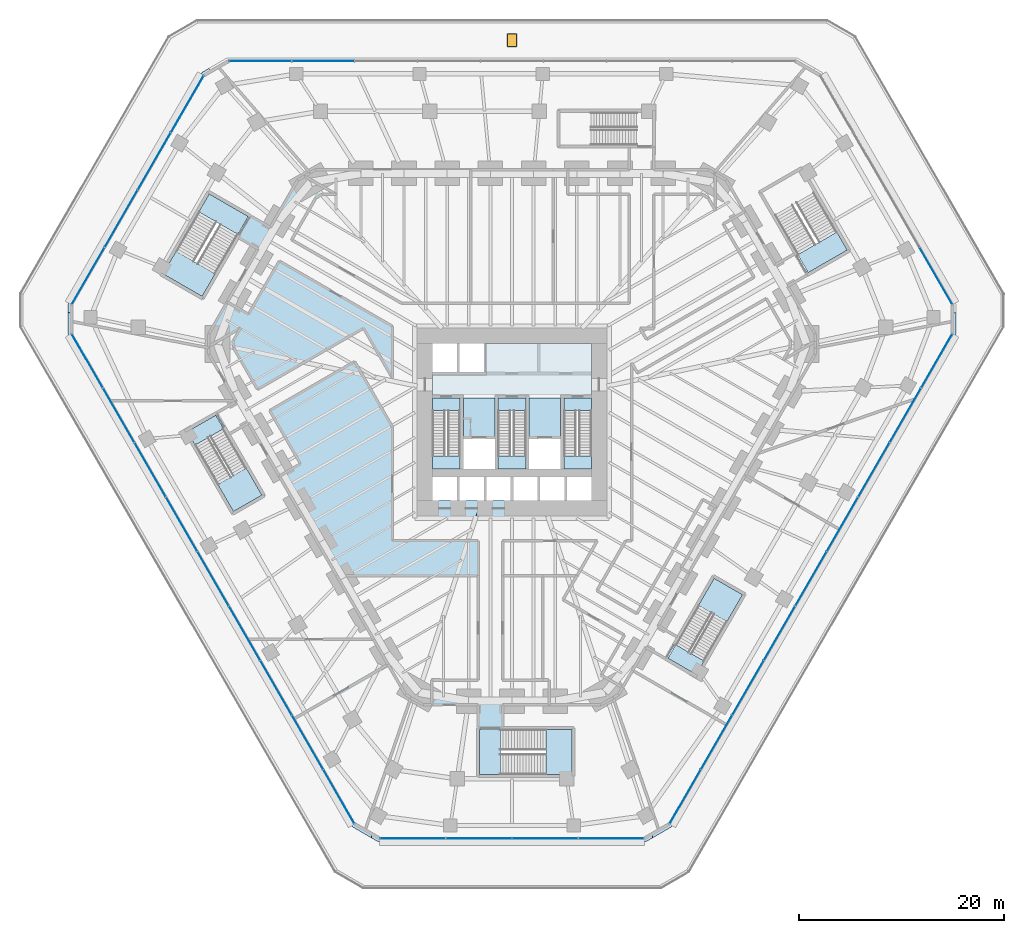
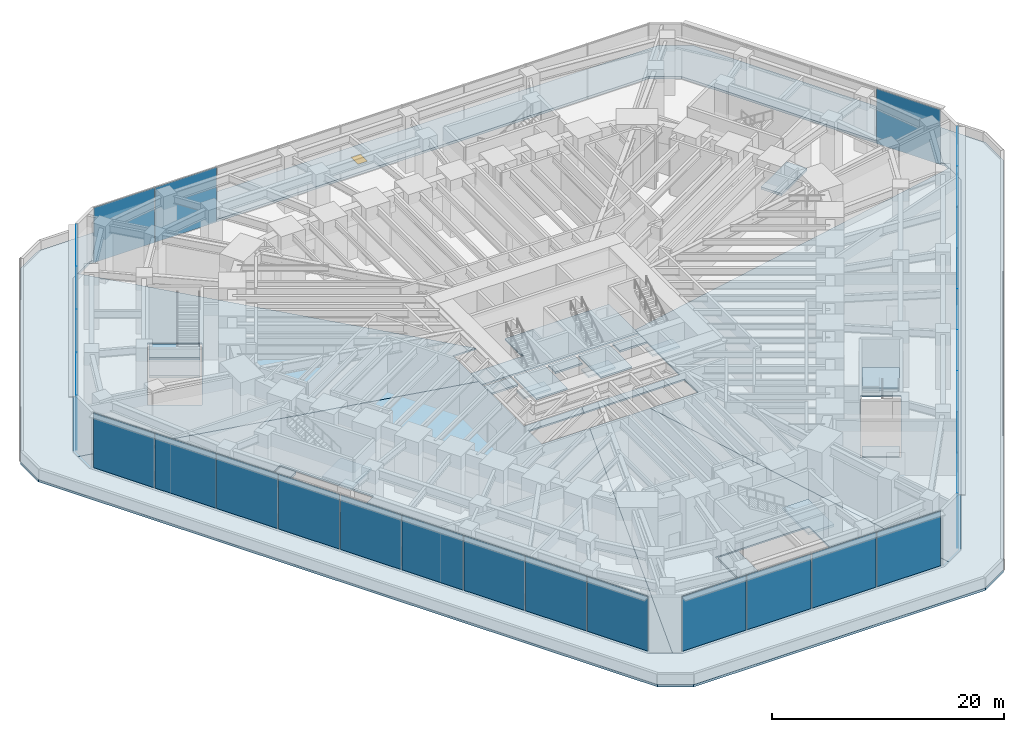
# One storey, part 13 of 25: 29 plates, 23 slabs, 1 window, 1 opening, 14 elements without a shape of their own.
"""IFC4 building model written with IfcOpenShell, lengths in metres."""

from ifc_helpers import new_model, si_unit, direction, frame, origin, origin_2d, place, context, subcontext, project, spatial, polyline, rectangle, outline, extrude, material, layer, layer_set, type_object, element, fill, aggregate, save


model = new_model("IFC4")

# Units and contexts
model_context = context("Model", 3, precision=1e-05, world=origin(), true_north=direction((0.0, 1.0)))
body_context = subcontext(model_context, "Body", "Model", "MODEL_VIEW")
ifc_project = project(units=[si_unit("LENGTHUNIT", "METRE"), si_unit("AREAUNIT", "SQUARE_METRE"), si_unit("VOLUMEUNIT", "CUBIC_METRE"), si_unit("PLANEANGLEUNIT", "RADIAN"), si_unit("MASSUNIT", "GRAM", prefix="KILO")], contexts=[model_context])

# Site, building, storey
site_placement = place(None, origin())
site = spatial("IfcSite", under=ifc_project, at=site_placement, CompositionType="ELEMENT")
building_placement = place(site_placement, origin())
building = spatial("IfcBuilding", under=site, at=building_placement, Name="Sandreach Pilgrim Tower", CompositionType="ELEMENT")
storey_placement = place(building_placement, frame((0.0, 0.0, 6.0)))
storey = spatial("IfcBuildingStorey", under=building, at=storey_placement, Name="L01", CompositionType="ELEMENT", Elevation=6.0)

# Curtain wall, plates
ifc_material_1 = material(Name="Aluminium framed curtain wall", Category="aluminium")
curtain_wall_type = type_object("IfcCurtainWallType", Name="Podium storefront curtain wall", PredefinedType="NOTDEFINED", material=ifc_material_1)
curtain_wall_1_placement = place(storey_placement, origin())
curtain_wall_1 = element("IfcCurtainWall", 1, at=curtain_wall_1_placement, inside=storey, type_object=curtain_wall_type, Name="CW-P L01 N", PredefinedType="NOTDEFINED")
ifc_material_2 = material(Name="Laminated safety insulating glass unit 10.76 laminated + 16 argon + 10.76 laminated", Category="glass")
ifc_layer_1 = layer(ifc_material_2, 0.0380859375)
ifc_layer_set_1 = layer_set([ifc_layer_1], Name="CW-P panel")
plate_type = type_object("IfcPlateType", Name="CW-P panel", PredefinedType="CURTAIN_PANEL", material=ifc_layer_set_1)
plate_1_placement = place(storey_placement, frame((-24.52490234375, 33.648193359375, 0.0), z_axis=(0.0, 0.0, 1.0), x_axis=(1.0, 0.0, 0.0)))
plate_1 = element("IfcPlate", 2, at=plate_1_placement, type_object=plate_type, Name="CW-P panel 1", PredefinedType="CURTAIN_PANEL", context=body_context, shape_type="SweptSolid", body=[
    extrude(rectangle(XDim=6.030517578125, YDim=0.0380859375, at=origin_2d()), origin(), (0.0, 0.0, 1.0), 5.77001953125),
])
plate_2_placement = place(storey_placement, frame((-18.40673828125, 33.648193359375, 0.0), z_axis=(0.0, 0.0, 1.0), x_axis=(1.0, 0.0, 0.0)))
plate_2 = element("IfcPlate", 3, at=plate_2_placement, type_object=plate_type, Name="CW-P panel 2", PredefinedType="CURTAIN_PANEL", context=body_context, shape_type="SweptSolid", body=[
    extrude(rectangle(XDim=6.065673828125, YDim=0.0380859375, at=origin_2d()), origin(), (0.0, 0.0, 1.0), 5.77001953125),
])
aggregate(curtain_wall_1, [plate_1, plate_2])

# Curtain wall, plate
curtain_wall_2_placement = place(storey_placement, origin())
curtain_wall_2 = element("IfcCurtainWall", 4, at=curtain_wall_2_placement, inside=storey, type_object=curtain_wall_type, Name="CW-P L01 NE", PredefinedType="NOTDEFINED")
plate_3_placement = place(storey_placement, frame((41.32275390625, 12.697265625, 0.0), z_axis=(0.0, 0.0, 1.0), x_axis=(0.5, -0.866025403784, 0.0)))
plate_3 = element("IfcPlate", 5, at=plate_3_placement, type_object=plate_type, Name="CW-P panel 4", PredefinedType="CURTAIN_PANEL", context=body_context, shape_type="SweptSolid", body=[
    extrude(rectangle(XDim=6.35009765625, YDim=0.0380859375, at=origin_2d()), origin(), (0.0, 0.0, 1.0), 5.77001953125),
])
aggregate(curtain_wall_2, [plate_3])

# Curtain wall, plates
curtain_wall_3_placement = place(storey_placement, origin())
curtain_wall_3 = element("IfcCurtainWall", 6, at=curtain_wall_3_placement, inside=storey, type_object=curtain_wall_type, Name="CW-P L01 SE", PredefinedType="NOTDEFINED")
plate_4_placement = place(storey_placement, frame((41.402587890625, 4.4150390625, 0.0), z_axis=(0.0, 0.0, 1.0), x_axis=(-0.5, -0.866025403784, 0.0)))
plate_4 = element("IfcPlate", 7, at=plate_4_placement, type_object=plate_type, Name="CW-P panel 1", PredefinedType="CURTAIN_PANEL", context=body_context, shape_type="SweptSolid", body=[
    extrude(rectangle(XDim=6.030517578125, YDim=0.0380859375, at=origin_2d()), origin(), (0.0, 0.0, 1.0), 5.77001953125),
])
plate_5_placement = place(storey_placement, frame((38.343505859375, -0.88330078125, 0.0), z_axis=(0.0, 0.0, 1.0), x_axis=(-0.5, -0.866025403784, 0.0)))
plate_5 = element("IfcPlate", 8, at=plate_5_placement, type_object=plate_type, Name="CW-P panel 2", PredefinedType="CURTAIN_PANEL", context=body_context, shape_type="SweptSolid", body=[
    extrude(rectangle(XDim=6.065673828125, YDim=0.0380859375, at=origin_2d()), origin(), (0.0, 0.0, 1.0), 5.77001953125),
])
plate_6_placement = place(storey_placement, frame((35.27587890625, -6.197021484375, 0.0), z_axis=(0.0, 0.0, 1.0), x_axis=(-0.5, -0.866025403784, 0.0)))
plate_6 = element("IfcPlate", 9, at=plate_6_placement, type_object=plate_type, Name="CW-P panel 3", PredefinedType="CURTAIN_PANEL", context=body_context, shape_type="SweptSolid", body=[
    extrude(rectangle(XDim=6.065673828125, YDim=0.0380859375, at=origin_2d()), origin(), (0.0, 0.0, 1.0), 5.77001953125),
])
plate_7_placement = place(storey_placement, frame((32.2080078125, -11.510498046875, 0.0), z_axis=(0.0, 0.0, 1.0), x_axis=(-0.5, -0.866025403784, 0.0)))
plate_7 = element("IfcPlate", 10, at=plate_7_placement, type_object=plate_type, Name="CW-P panel 4", PredefinedType="CURTAIN_PANEL", context=body_context, shape_type="SweptSolid", body=[
    extrude(rectangle(XDim=6.065673828125, YDim=0.0380859375, at=origin_2d()), origin(), (0.0, 0.0, 1.0), 5.77001953125),
])
plate_8_placement = place(storey_placement, frame((29.14013671875, -16.82421875, 0.0), z_axis=(0.0, 0.0, 1.0), x_axis=(-0.5, -0.866025403784, 0.0)))
plate_8 = element("IfcPlate", 11, at=plate_8_placement, type_object=plate_type, Name="CW-P panel 5", PredefinedType="CURTAIN_PANEL", context=body_context, shape_type="SweptSolid", body=[
    extrude(rectangle(XDim=6.065673828125, YDim=0.0380859375, at=origin_2d()), origin(), (0.0, 0.0, 1.0), 5.77001953125),
])
plate_9_placement = place(storey_placement, frame((26.072509765625, -22.1376953125, 0.0), z_axis=(0.0, 0.0, 1.0), x_axis=(-0.5, -0.866025403784, 0.0)))
plate_9 = element("IfcPlate", 12, at=plate_9_placement, type_object=plate_type, Name="CW-P panel 6", PredefinedType="CURTAIN_PANEL", context=body_context, shape_type="SweptSolid", body=[
    extrude(rectangle(XDim=6.065673828125, YDim=0.0380859375, at=origin_2d()), origin(), (0.0, 0.0, 1.0), 5.77001953125),
])
plate_10_placement = place(storey_placement, frame((23.004638671875, -27.451171875, 0.0), z_axis=(0.0, 0.0, 1.0), x_axis=(-0.5, -0.866025403784, 0.0)))
plate_10 = element("IfcPlate", 13, at=plate_10_placement, type_object=plate_type, Name="CW-P panel 7", PredefinedType="CURTAIN_PANEL", context=body_context, shape_type="SweptSolid", body=[
    extrude(rectangle(XDim=6.065673828125, YDim=0.0380859375, at=origin_2d()), origin(), (0.0, 0.0, 1.0), 5.77001953125),
])
plate_11_placement = place(storey_placement, frame((19.936767578125, -32.764892578125, 0.0), z_axis=(0.0, 0.0, 1.0), x_axis=(-0.5, -0.866025403784, 0.0)))
plate_11 = element("IfcPlate", 14, at=plate_11_placement, type_object=plate_type, Name="CW-P panel 8", PredefinedType="CURTAIN_PANEL", context=body_context, shape_type="SweptSolid", body=[
    extrude(rectangle(XDim=6.065673828125, YDim=0.0380859375, at=origin_2d()), origin(), (0.0, 0.0, 1.0), 5.77001953125),
])
plate_12_placement = place(storey_placement, frame((16.877685546875, -38.063232421875, 0.0), z_axis=(0.0, 0.0, 1.0), x_axis=(-0.5, -0.866025403784, 0.0)))
plate_12 = element("IfcPlate", 15, at=plate_12_placement, type_object=plate_type, Name="CW-P panel 9", PredefinedType="CURTAIN_PANEL", context=body_context, shape_type="SweptSolid", body=[
    extrude(rectangle(XDim=6.030517578125, YDim=0.0380859375, at=origin_2d()), origin(), (0.0, 0.0, 1.0), 5.77001953125),
])
aggregate(curtain_wall_3, [plate_4, plate_5, plate_6, plate_7, plate_8, plate_9, plate_10, plate_11, plate_12])

curtain_wall_4_placement = place(storey_placement, origin())
curtain_wall_4 = element("IfcCurtainWall", 16, at=curtain_wall_4_placement, inside=storey, type_object=curtain_wall_type, Name="CW-P L01 S", PredefinedType="NOTDEFINED")
plate_13_placement = place(storey_placement, frame((9.6650390625, -42.13525390625, 0.0), z_axis=(0.0, 0.0, 1.0), x_axis=(-1.0, 0.0, 0.0)))
plate_13 = element("IfcPlate", 17, at=plate_13_placement, type_object=plate_type, Name="CW-P panel 1", PredefinedType="CURTAIN_PANEL", context=body_context, shape_type="SweptSolid", body=[
    extrude(rectangle(XDim=6.35009765625, YDim=0.0380859375, at=origin_2d()), origin(), (0.0, 0.0, 1.0), 5.77001953125),
])
plate_14_placement = place(storey_placement, frame((3.2275390625, -42.13525390625, 0.0), z_axis=(0.0, 0.0, 1.0), x_axis=(-1.0, 0.0, 0.0)))
plate_14 = element("IfcPlate", 18, at=plate_14_placement, type_object=plate_type, Name="CW-P panel 2", PredefinedType="CURTAIN_PANEL", context=body_context, shape_type="SweptSolid", body=[
    extrude(rectangle(XDim=6.385009765625, YDim=0.0380859375, at=origin_2d()), origin(), (0.0, 0.0, 1.0), 5.77001953125),
])
plate_15_placement = place(storey_placement, frame((-3.2275390625, -42.13525390625, 0.0), z_axis=(0.0, 0.0, 1.0), x_axis=(-1.0, 0.0, 0.0)))
plate_15 = element("IfcPlate", 19, at=plate_15_placement, type_object=plate_type, Name="CW-P panel 3", PredefinedType="CURTAIN_PANEL", context=body_context, shape_type="SweptSolid", body=[
    extrude(rectangle(XDim=6.385009765625, YDim=0.0380859375, at=origin_2d()), origin(), (0.0, 0.0, 1.0), 5.77001953125),
])
plate_16_placement = place(storey_placement, frame((-9.6650390625, -42.13525390625, 0.0), z_axis=(0.0, 0.0, 1.0), x_axis=(-1.0, 0.0, 0.0)))
plate_16 = element("IfcPlate", 20, at=plate_16_placement, type_object=plate_type, Name="CW-P panel 4", PredefinedType="CURTAIN_PANEL", context=body_context, shape_type="SweptSolid", body=[
    extrude(rectangle(XDim=6.35009765625, YDim=0.0380859375, at=origin_2d()), origin(), (0.0, 0.0, 1.0), 5.77001953125),
])
aggregate(curtain_wall_4, [plate_13, plate_14, plate_15, plate_16])

curtain_wall_5_placement = place(storey_placement, origin())
curtain_wall_5 = element("IfcCurtainWall", 21, at=curtain_wall_5_placement, inside=storey, type_object=curtain_wall_type, Name="CW-P L01 SW", PredefinedType="NOTDEFINED")
plate_17_placement = place(storey_placement, frame((-16.877685546875, -38.063232421875, 0.0), z_axis=(0.0, 0.0, 1.0), x_axis=(-0.5, 0.866025403784, 0.0)))
plate_17 = element("IfcPlate", 22, at=plate_17_placement, type_object=plate_type, Name="CW-P panel 1", PredefinedType="CURTAIN_PANEL", context=body_context, shape_type="SweptSolid", body=[
    extrude(rectangle(XDim=6.030517578125, YDim=0.0380859375, at=origin_2d()), origin(), (0.0, 0.0, 1.0), 5.77001953125),
])
plate_18_placement = place(storey_placement, frame((-19.936767578125, -32.764892578125, 0.0), z_axis=(0.0, 0.0, 1.0), x_axis=(-0.5, 0.866025403784, 0.0)))
plate_18 = element("IfcPlate", 23, at=plate_18_placement, type_object=plate_type, Name="CW-P panel 2", PredefinedType="CURTAIN_PANEL", context=body_context, shape_type="SweptSolid", body=[
    extrude(rectangle(XDim=6.065673828125, YDim=0.0380859375, at=origin_2d()), origin(), (0.0, 0.0, 1.0), 5.77001953125),
])
plate_19_placement = place(storey_placement, frame((-23.004638671875, -27.451171875, 0.0), z_axis=(0.0, 0.0, 1.0), x_axis=(-0.5, 0.866025403784, 0.0)))
plate_19 = element("IfcPlate", 24, at=plate_19_placement, type_object=plate_type, Name="CW-P panel 3", PredefinedType="CURTAIN_PANEL", context=body_context, shape_type="SweptSolid", body=[
    extrude(rectangle(XDim=6.065673828125, YDim=0.0380859375, at=origin_2d()), origin(), (0.0, 0.0, 1.0), 5.77001953125),
])
plate_20_placement = place(storey_placement, frame((-26.072509765625, -22.1376953125, 0.0), z_axis=(0.0, 0.0, 1.0), x_axis=(-0.5, 0.866025403784, 0.0)))
plate_20 = element("IfcPlate", 25, at=plate_20_placement, type_object=plate_type, Name="CW-P panel 4", PredefinedType="CURTAIN_PANEL", context=body_context, shape_type="SweptSolid", body=[
    extrude(rectangle(XDim=6.065673828125, YDim=0.0380859375, at=origin_2d()), origin(), (0.0, 0.0, 1.0), 5.77001953125),
])
plate_21_placement = place(storey_placement, frame((-29.14013671875, -16.82421875, 0.0), z_axis=(0.0, 0.0, 1.0), x_axis=(-0.5, 0.866025403784, 0.0)))
plate_21 = element("IfcPlate", 26, at=plate_21_placement, type_object=plate_type, Name="CW-P panel 5", PredefinedType="CURTAIN_PANEL", context=body_context, shape_type="SweptSolid", body=[
    extrude(rectangle(XDim=6.065673828125, YDim=0.0380859375, at=origin_2d()), origin(), (0.0, 0.0, 1.0), 5.77001953125),
])
plate_22_placement = place(storey_placement, frame((-32.2080078125, -11.510498046875, 0.0), z_axis=(0.0, 0.0, 1.0), x_axis=(-0.5, 0.866025403784, 0.0)))
plate_22 = element("IfcPlate", 27, at=plate_22_placement, type_object=plate_type, Name="CW-P panel 6", PredefinedType="CURTAIN_PANEL", context=body_context, shape_type="SweptSolid", body=[
    extrude(rectangle(XDim=6.065673828125, YDim=0.0380859375, at=origin_2d()), origin(), (0.0, 0.0, 1.0), 5.77001953125),
])
plate_23_placement = place(storey_placement, frame((-35.27587890625, -6.197021484375, 0.0), z_axis=(0.0, 0.0, 1.0), x_axis=(-0.5, 0.866025403784, 0.0)))
plate_23 = element("IfcPlate", 28, at=plate_23_placement, type_object=plate_type, Name="CW-P panel 7", PredefinedType="CURTAIN_PANEL", context=body_context, shape_type="SweptSolid", body=[
    extrude(rectangle(XDim=6.065673828125, YDim=0.0380859375, at=origin_2d()), origin(), (0.0, 0.0, 1.0), 5.77001953125),
])
plate_24_placement = place(storey_placement, frame((-38.343505859375, -0.88330078125, 0.0), z_axis=(0.0, 0.0, 1.0), x_axis=(-0.5, 0.866025403784, 0.0)))
plate_24 = element("IfcPlate", 29, at=plate_24_placement, type_object=plate_type, Name="CW-P panel 8", PredefinedType="CURTAIN_PANEL", context=body_context, shape_type="SweptSolid", body=[
    extrude(rectangle(XDim=6.065673828125, YDim=0.0380859375, at=origin_2d()), origin(), (0.0, 0.0, 1.0), 5.77001953125),
])
plate_25_placement = place(storey_placement, frame((-41.402587890625, 4.4150390625, 0.0), z_axis=(0.0, 0.0, 1.0), x_axis=(-0.5, 0.866025403784, 0.0)))
plate_25 = element("IfcPlate", 30, at=plate_25_placement, type_object=plate_type, Name="CW-P panel 9", PredefinedType="CURTAIN_PANEL", context=body_context, shape_type="SweptSolid", body=[
    extrude(rectangle(XDim=6.030517578125, YDim=0.0380859375, at=origin_2d()), origin(), (0.0, 0.0, 1.0), 5.77001953125),
])
aggregate(curtain_wall_5, [plate_17, plate_18, plate_19, plate_20, plate_21, plate_22, plate_23, plate_24, plate_25])

curtain_wall_6_placement = place(storey_placement, origin())
curtain_wall_6 = element("IfcCurtainWall", 31, at=curtain_wall_6_placement, inside=storey, type_object=curtain_wall_type, Name="CW-P L01 NW", PredefinedType="NOTDEFINED")
plate_26_placement = place(storey_placement, frame((-41.32275390625, 12.697265625, 0.0), z_axis=(0.0, 0.0, 1.0), x_axis=(0.5, 0.866025403784, 0.0)))
plate_26 = element("IfcPlate", 32, at=plate_26_placement, type_object=plate_type, Name="CW-P panel 1", PredefinedType="CURTAIN_PANEL", context=body_context, shape_type="SweptSolid", body=[
    extrude(rectangle(XDim=6.35009765625, YDim=0.0380859375, at=origin_2d()), origin(), (0.0, 0.0, 1.0), 5.77001953125),
])
plate_27_placement = place(storey_placement, frame((-38.10400390625, 18.2724609375, 0.0), z_axis=(0.0, 0.0, 1.0), x_axis=(0.5, 0.866025403784, 0.0)))
plate_27 = element("IfcPlate", 33, at=plate_27_placement, type_object=plate_type, Name="CW-P panel 2", PredefinedType="CURTAIN_PANEL", context=body_context, shape_type="SweptSolid", body=[
    extrude(rectangle(XDim=6.385009765625, YDim=0.0380859375, at=origin_2d()), origin(), (0.0, 0.0, 1.0), 5.77001953125),
])
plate_28_placement = place(storey_placement, frame((-34.87646484375, 23.86279296875, 0.0), z_axis=(0.0, 0.0, 1.0), x_axis=(0.5, 0.866025403784, 0.0)))
plate_28 = element("IfcPlate", 34, at=plate_28_placement, type_object=plate_type, Name="CW-P panel 3", PredefinedType="CURTAIN_PANEL", context=body_context, shape_type="SweptSolid", body=[
    extrude(rectangle(XDim=6.385009765625, YDim=0.0380859375, at=origin_2d()), origin(), (0.0, 0.0, 1.0), 5.77001953125),
])
plate_29_placement = place(storey_placement, frame((-31.65771484375, 29.43798828125, 0.0), z_axis=(0.0, 0.0, 1.0), x_axis=(0.5, 0.866025403784, 0.0)))
plate_29 = element("IfcPlate", 35, at=plate_29_placement, type_object=plate_type, Name="CW-P panel 4", PredefinedType="CURTAIN_PANEL", context=body_context, shape_type="SweptSolid", body=[
    extrude(rectangle(XDim=6.35009765625, YDim=0.0380859375, at=origin_2d()), origin(), (0.0, 0.0, 1.0), 5.77001953125),
])
aggregate(curtain_wall_6, [plate_26, plate_27, plate_28, plate_29])

# Slabs
ifc_material_3 = material(Name="Concrete 8000 psi", Category="concrete")
ifc_layer_2 = layer(ifc_material_3, 0.159912109375)
ifc_layer_set_2 = layer_set([ifc_layer_2], Name="Composite floor slab 160")
slab_type_1 = type_object("IfcSlabType", Name="Composite floor slab 160", PredefinedType="FLOOR", material=ifc_layer_set_2)
slab_1_placement = place(storey_placement, frame((0.0, 0.0, -0.159912109375)))
element("IfcSlab", 36, at=slab_1_placement, inside=storey, type_object=slab_type_1, Name="Floor slab L01 SE sector", PredefinedType="FLOOR", context=body_context, shape_type="SweptSolid", body=[
    extrude(outline(polyline([(15.50830078125, -41.03515625), (13.72998046875, -42.06201171875), (3.003173828125, -9.199951171875), (7.75, -9.199951171875), (7.75, -6.89990234375), (-2.252197265625, -6.89990234375), (-1.9912109375, -6.10009765625), (7.75, -6.10009765625), (7.75, 1.63623046875), (43.291748046875, 9.140380859375), (43.291748046875, 7.0869140625), (15.50830078125, -41.03515625)]), holes=[polyline([(14.994384765625, -24.626220703125), (18.025390625, -26.376220703125), (22.675537109375, -18.322265625), (19.644287109375, -16.572265625), (14.994384765625, -24.626220703125)])]), origin(), (0.0, 0.0, 1.0), 0.159912109375),
])
slab_2_placement = place(storey_placement, frame((0.0, 0.0, -0.159912109375)))
element("IfcSlab", 37, at=slab_2_placement, inside=storey, type_object=slab_type_1, Name="Floor slab L01 S sector", PredefinedType="FLOOR", context=body_context, shape_type="SweptSolid", body=[
    extrude(outline(polyline([(13.08349609375, -42.435302734375), (-13.08349609375, -42.435302734375), (-13.72998046875, -42.06201171875), (-3.003173828125, -9.199951171875), (3.003173828125, -9.199951171875), (13.72998046875, -42.06201171875), (13.08349609375, -42.435302734375)]), holes=[polyline([(5.98876953125, -31.36083984375), (-3.311279296875, -31.36083984375), (-3.311279296875, -36.060791015625), (5.98876953125, -36.060791015625), (5.98876953125, -31.36083984375)])]), origin(), (0.0, 0.0, 1.0), 0.159912109375),
])
slab_3_placement = place(storey_placement, frame((0.0, 0.0, -0.159912109375)))
element("IfcSlab", 38, at=slab_3_placement, inside=storey, type_object=slab_type_1, Name="Floor slab L01 SW sector", PredefinedType="FLOOR", context=body_context, shape_type="SweptSolid", body=[
    extrude(outline(polyline([(-15.50830078125, -41.03515625), (-43.291748046875, 7.0869140625), (-43.291748046875, 9.140380859375), (-7.75, 1.63623046875), (-7.75, -6.10009765625), (-1.9912109375, -6.10009765625), (-2.252197265625, -6.89990234375), (-7.75, -6.89990234375), (-7.75, -9.199951171875), (-3.003173828125, -9.199951171875), (-13.72998046875, -42.06201171875), (-15.50830078125, -41.03515625)]), holes=[polyline([(-24.17431640625, -8.7265625), (-28.82421875, -0.67236328125), (-31.855224609375, -2.42236328125), (-27.205322265625, -10.4765625), (-24.17431640625, -8.7265625)])]), origin(), (0.0, 0.0, 1.0), 0.159912109375),
])
slab_4_placement = place(storey_placement, frame((0.0, 0.0, -0.159912109375)))
element("IfcSlab", 39, at=slab_4_placement, inside=storey, type_object=slab_type_1, Name="Floor slab L01 NW sector", PredefinedType="FLOOR", context=body_context, shape_type="SweptSolid", body=[
    extrude(outline(polyline([(-43.291748046875, 9.886962890625), (-30.208251953125, 32.548095703125), (-29.5615234375, 32.921630859375), (-5.477294921875, 6.10009765625), (-7.75, 6.10009765625), (-7.75, 1.63623046875), (-43.291748046875, 9.140380859375), (-43.291748046875, 9.886962890625)]), holes=[polyline([(-30.15380859375, 10.493896484375), (-25.503662109375, 18.548095703125), (-29.57421875, 20.89794921875), (-34.22412109375, 12.843994140625), (-30.15380859375, 10.493896484375)])]), origin(), (0.0, 0.0, 1.0), 0.159912109375),
])
slab_5_placement = place(storey_placement, frame((0.0, 0.0, -0.159912109375)))
element("IfcSlab", 40, at=slab_5_placement, inside=storey, type_object=slab_type_1, Name="Core floor slab and stores L01", PredefinedType="FLOOR", context=body_context, shape_type="SweptSolid", body=[
    extrude(outline(polyline([(-7.75, 3.050048828125), (-5.375, 3.050048828125), (-5.125, 3.050048828125), (-2.5, 3.050048828125), (-2.5, 3.35009765625), (-2.60009765625, 3.35009765625), (-2.60009765625, 6.10009765625), (7.75, 6.10009765625), (7.75, 1.10009765625), (5.050048828125, 1.10009765625), (4.75, 1.10009765625), (1.64990234375, 1.10009765625), (1.35009765625, 1.10009765625), (-1.35009765625, 1.10009765625), (-1.64990234375, 1.10009765625), (-4.75, 1.10009765625), (-5.050048828125, 1.10009765625), (-7.75, 1.10009765625), (-7.75, 3.050048828125)])), origin(), (0.0, 0.0, 1.0), 0.159912109375),
])
slab_6_placement = place(storey_placement, frame((0.0, 0.0, -0.159912109375)))
element("IfcSlab", 41, at=slab_6_placement, inside=storey, type_object=slab_type_1, Name="Core floor slab and stores L01 2", PredefinedType="FLOOR", context=body_context, shape_type="SweptSolid", body=[
    extrude(outline(polyline([(-1.64990234375, -3.050048828125), (-4.75, -3.050048828125), (-4.75, 0.800048828125), (-1.64990234375, 0.800048828125), (-1.64990234375, -3.050048828125)])), origin(), (0.0, 0.0, 1.0), 0.159912109375),
])
slab_7_placement = place(storey_placement, frame((0.0, 0.0, -0.159912109375)))
element("IfcSlab", 42, at=slab_7_placement, inside=storey, type_object=slab_type_1, Name="Core floor slab and stores L01 3", PredefinedType="FLOOR", context=body_context, shape_type="SweptSolid", body=[
    extrude(outline(polyline([(4.75, -3.050048828125), (1.64990234375, -3.050048828125), (1.64990234375, 0.800048828125), (4.75, 0.800048828125), (4.75, -3.050048828125)])), origin(), (0.0, 0.0, 1.0), 0.159912109375),
])

# Stair, slabs
ifc_material_4 = material(Name="Concrete 8000 psi", Category="concrete")
stair_type_1 = type_object("IfcStairType", Name="Core exit stair", PredefinedType="HALF_TURN_STAIR", material=ifc_material_4)
stair_1_placement = place(storey_placement, origin())
stair_1 = element("IfcStair", 43, at=stair_1_placement, inside=storey, type_object=stair_type_1, Name="Exit stair ST1 L01", PredefinedType="HALF_TURN_STAIR")
ifc_material_5 = material(Name="Concrete 8000 psi", Category="concrete")
ifc_layer_3 = layer(ifc_material_5, 0.199951171875)
ifc_layer_set_3 = layer_set([ifc_layer_3], Name="Core stair landing 200")
slab_type_2 = type_object("IfcSlabType", Name="Core stair landing 200", PredefinedType="LANDING", material=ifc_layer_set_3)
slab_8_placement = place(storey_placement, frame((0.0, 0.0, -0.199951171875)))
slab_8 = element("IfcSlab", 44, at=slab_8_placement, type_object=slab_type_2, Name="ST1 landing 1", PredefinedType="LANDING", context=body_context, shape_type="SweptSolid", body=[
    extrude(outline(polyline([(-7.75, -0.425048828125), (-5.050048828125, -0.425048828125), (-5.050048828125, 0.800048828125), (-7.75, 0.800048828125), (-7.75, -0.425048828125)])), origin(), (0.0, 0.0, 1.0), 0.199951171875),
])
slab_9_placement = place(storey_placement, frame((0.0, 0.0, 2.800048828125)))
slab_9 = element("IfcSlab", 45, at=slab_9_placement, type_object=slab_type_2, Name="ST1 landing 2", PredefinedType="LANDING", context=body_context, shape_type="SweptSolid", body=[
    extrude(outline(polyline([(-7.75, -6.10009765625), (-5.050048828125, -6.10009765625), (-5.050048828125, -4.85498046875), (-7.75, -4.85498046875), (-7.75, -6.10009765625)])), origin(), (0.0, 0.0, 1.0), 0.199951171875),
])
aggregate(stair_1, [slab_8, slab_9])

stair_2_placement = place(storey_placement, origin())
stair_2 = element("IfcStair", 46, at=stair_2_placement, inside=storey, type_object=stair_type_1, Name="Exit stair ST3 L01", PredefinedType="HALF_TURN_STAIR")
slab_10_placement = place(storey_placement, frame((0.0, 0.0, -0.199951171875)))
slab_10 = element("IfcSlab", 47, at=slab_10_placement, type_object=slab_type_2, Name="ST3 landing 1", PredefinedType="LANDING", context=body_context, shape_type="SweptSolid", body=[
    extrude(outline(polyline([(-1.35009765625, -0.425048828125), (1.35009765625, -0.425048828125), (1.35009765625, 0.800048828125), (-1.35009765625, 0.800048828125), (-1.35009765625, -0.425048828125)])), origin(), (0.0, 0.0, 1.0), 0.199951171875),
])
slab_11_placement = place(storey_placement, frame((0.0, 0.0, 2.800048828125)))
slab_11 = element("IfcSlab", 48, at=slab_11_placement, type_object=slab_type_2, Name="ST3 landing 2", PredefinedType="LANDING", context=body_context, shape_type="SweptSolid", body=[
    extrude(outline(polyline([(-1.35009765625, -6.10009765625), (1.35009765625, -6.10009765625), (1.35009765625, -4.85498046875), (-1.35009765625, -4.85498046875), (-1.35009765625, -6.10009765625)])), origin(), (0.0, 0.0, 1.0), 0.199951171875),
])
aggregate(stair_2, [slab_10, slab_11])

stair_3_placement = place(storey_placement, origin())
stair_3 = element("IfcStair", 49, at=stair_3_placement, inside=storey, type_object=stair_type_1, Name="Exit stair ST2 L01", PredefinedType="HALF_TURN_STAIR")
slab_12_placement = place(storey_placement, frame((0.0, 0.0, -0.199951171875)))
slab_12 = element("IfcSlab", 50, at=slab_12_placement, type_object=slab_type_2, Name="ST2 landing 1", PredefinedType="LANDING", context=body_context, shape_type="SweptSolid", body=[
    extrude(outline(polyline([(5.050048828125, -0.425048828125), (7.75, -0.425048828125), (7.75, 0.800048828125), (5.050048828125, 0.800048828125), (5.050048828125, -0.425048828125)])), origin(), (0.0, 0.0, 1.0), 0.199951171875),
])
slab_13_placement = place(storey_placement, frame((0.0, 0.0, 2.800048828125)))
slab_13 = element("IfcSlab", 51, at=slab_13_placement, type_object=slab_type_2, Name="ST2 landing 2", PredefinedType="LANDING", context=body_context, shape_type="SweptSolid", body=[
    extrude(outline(polyline([(5.050048828125, -6.10009765625), (7.75, -6.10009765625), (7.75, -4.85498046875), (5.050048828125, -4.85498046875), (5.050048828125, -6.10009765625)])), origin(), (0.0, 0.0, 1.0), 0.199951171875),
])
aggregate(stair_3, [slab_12, slab_13])

# Slab, opening, window
ifc_material_6 = material(Name="Concrete 8000 psi", Category="concrete")
ifc_layer_4 = layer(ifc_material_6, 0.25)
ifc_layer_set_4 = layer_set([ifc_layer_4], Name="Podium planted roof slab 250")
slab_type_3 = type_object("IfcSlabType", Name="Podium planted roof slab 250", PredefinedType="ROOF", material=ifc_layer_set_4)
slab_14_placement = place(storey_placement, frame((0.0, 0.0, -0.25)))
slab_14 = element("IfcSlab", 52, at=slab_14_placement, inside=storey, type_object=slab_type_3, Name="Podium planted roof L01", PredefinedType="ROOF", context=body_context, shape_type="SweptSolid", body=[
    extrude(outline(polyline([(-30.76025390625, 37.58544921875), (-33.44482421875, 36.035400390625), (-47.93017578125, 10.9462890625), (-47.93017578125, 7.846435546875), (-17.169921875, -45.431884765625), (-14.485107421875, -46.98193359375), (14.485107421875, -46.98193359375), (17.169921875, -45.431884765625), (47.93017578125, 7.846435546875), (47.93017578125, 10.9462890625), (33.44482421875, 36.035400390625), (30.76025390625, 37.58544921875), (-30.76025390625, 37.58544921875)]), holes=[polyline([(-27.783447265625, 33.9482421875), (-30.208251953125, 32.548095703125), (-43.291748046875, 9.886962890625), (-43.291748046875, 7.087158203125), (-15.50830078125, -41.03515625), (-13.08349609375, -42.435302734375), (13.08349609375, -42.435302734375), (15.50830078125, -41.03515625), (43.291748046875, 7.087158203125), (43.291748046875, 9.886962890625), (30.208251953125, 32.548095703125), (27.783447265625, 33.9482421875), (-27.783447265625, 33.9482421875)])]), origin(), (0.0, 0.0, 1.0), 0.25),
])
opening_placement = place(slab_14_placement, frame((0.0, 35.666748046875, 0.0)))
opening = element("IfcOpeningElement", 53, at=opening_placement, cuts=slab_14, Name="Opening RH1", PredefinedType="OPENING", context=body_context, shape_type="SweptSolid", body=[
    extrude(rectangle(XDim=0.89990234375, YDim=1.199951171875, at=origin_2d()), origin(), (0.0, 0.0, 1.0), 0.25),
])
ifc_material_7 = material(Name="Insulated aluminium roof hatch", Category="aluminium")
window_type = type_object("IfcWindowType", Name="Roof access hatch", PartitioningType="SINGLE_PANEL", PredefinedType="SKYLIGHT", material=ifc_material_7)
window_placement = place(opening_placement, frame((0.0, 0.0, 0.199951171875)))
window = element("IfcWindow", 54, at=window_placement, inside=storey, type_object=window_type, Name="Roof access hatch L01", OverallHeight=1.199951171875, OverallWidth=0.89990234375, PartitioningType="SINGLE_PANEL", PredefinedType="SKYLIGHT", context=body_context, shape_type="SweptSolid", body=[
    extrude(rectangle(XDim=0.89990234375, YDim=1.199951171875, at=origin_2d()), origin(), (0.0, 0.0, 1.0), 0.050048828125),
])
fill(opening, window)

# Stair, slab
ifc_material_8 = material(Name="Concrete 8000 psi", Category="concrete")
stair_type_2 = type_object("IfcStairType", Name="Podium exit stair", PredefinedType="HALF_TURN_STAIR", material=ifc_material_8)
stair_4_placement = place(storey_placement, origin())
stair_4 = element("IfcStair", 55, at=stair_4_placement, inside=storey, type_object=stair_type_2, Name="Exit stair ST4 L01", PredefinedType="HALF_TURN_STAIR")
ifc_material_9 = material(Name="Concrete 8000 psi", Category="concrete")
ifc_layer_5 = layer(ifc_material_9, 0.25)
ifc_layer_set_5 = layer_set([ifc_layer_5], Name="Podium stair landing 250")
slab_type_4 = type_object("IfcSlabType", Name="Podium stair landing 250", PredefinedType="LANDING", material=ifc_layer_set_5)
slab_15_placement = place(storey_placement, frame((0.0, 0.0, -0.25)))
slab_15 = element("IfcSlab", 56, at=slab_15_placement, type_object=slab_type_4, Name="ST4 landing 1", PredefinedType="LANDING", context=body_context, shape_type="SweptSolid", body=[
    extrude(outline(polyline([(28.869873046875, 13.017822265625), (27.857421875, 14.771484375), (31.667724609375, 16.971435546875), (32.680419921875, 15.2177734375), (28.869873046875, 13.017822265625)])), origin(), (0.0, 0.0, 1.0), 0.25),
])
aggregate(stair_4, [slab_15])

# Stair, slabs
stair_5_placement = place(storey_placement, origin())
stair_5 = element("IfcStair", 57, at=stair_5_placement, inside=storey, type_object=stair_type_2, Name="Exit stair ST5 L01", PredefinedType="HALF_TURN_STAIR")
slab_16_placement = place(storey_placement, frame((0.0, 0.0, -0.25)))
slab_16 = element("IfcSlab", 58, at=slab_16_placement, type_object=slab_type_4, Name="ST5 landing 1", PredefinedType="LANDING", context=body_context, shape_type="SweptSolid", body=[
    extrude(outline(polyline([(-3.1611328125, -31.510986328125), (-1.13623046875, -31.510986328125), (-1.13623046875, -35.910888671875), (-3.1611328125, -35.910888671875), (-3.1611328125, -31.510986328125)])), origin(), (0.0, 0.0, 1.0), 0.25),
])
slab_17_placement = place(storey_placement, frame((0.0, 0.0, 2.75)))
slab_17 = element("IfcSlab", 59, at=slab_17_placement, type_object=slab_type_4, Name="ST5 landing 2", PredefinedType="LANDING", context=body_context, shape_type="SweptSolid", body=[
    extrude(outline(polyline([(3.2939453125, -31.510986328125), (5.8388671875, -31.510986328125), (5.8388671875, -35.910888671875), (3.2939453125, -35.910888671875), (3.2939453125, -31.510986328125)])), origin(), (0.0, 0.0, 1.0), 0.25),
])
aggregate(stair_5, [slab_16, slab_17])

stair_6_placement = place(storey_placement, origin())
stair_6 = element("IfcStair", 60, at=stair_6_placement, inside=storey, type_object=stair_type_2, Name="Exit stair ST6 L01", PredefinedType="HALF_TURN_STAIR")
slab_18_placement = place(storey_placement, frame((0.0, 0.0, -0.25)))
slab_18 = element("IfcSlab", 61, at=slab_18_placement, type_object=slab_type_4, Name="ST6 landing 1", PredefinedType="LANDING", context=body_context, shape_type="SweptSolid", body=[
    extrude(outline(polyline([(-25.708740234375, 18.4931640625), (-26.72119140625, 16.739501953125), (-30.53173828125, 18.939453125), (-29.51904296875, 20.693115234375), (-25.708740234375, 18.4931640625)])), origin(), (0.0, 0.0, 1.0), 0.25),
])
slab_19_placement = place(storey_placement, frame((0.0, 0.0, 2.75)))
slab_19 = element("IfcSlab", 62, at=slab_19_placement, type_object=slab_type_4, Name="ST6 landing 2", PredefinedType="LANDING", context=body_context, shape_type="SweptSolid", body=[
    extrude(outline(polyline([(-28.93603515625, 12.90283203125), (-30.208740234375, 10.698974609375), (-34.01904296875, 12.89892578125), (-32.74658203125, 15.102783203125), (-28.93603515625, 12.90283203125)])), origin(), (0.0, 0.0, 1.0), 0.25),
])
aggregate(stair_6, [slab_18, slab_19])

ifc_material_10 = material(Name="Concrete 8000 psi", Category="concrete")
stair_type_3 = type_object("IfcStairType", Name="Narrow podium exit stair", PredefinedType="HALF_TURN_STAIR", material=ifc_material_10)
stair_7_placement = place(storey_placement, origin())
stair_7 = element("IfcStair", 63, at=stair_7_placement, inside=storey, type_object=stair_type_3, Name="Exit stair ST8 L01", PredefinedType="HALF_TURN_STAIR")
slab_20_placement = place(storey_placement, frame((0.0, 0.0, -0.25)))
slab_20 = element("IfcSlab", 64, at=slab_20_placement, type_object=slab_type_4, Name="ST8 landing 1", PredefinedType="LANDING", context=body_context, shape_type="SweptSolid", body=[
    extrude(outline(polyline([(15.199462890625, -24.5712890625), (15.9619140625, -23.250732421875), (18.733154296875, -24.8505859375), (17.970703125, -26.17138671875), (15.199462890625, -24.5712890625)])), origin(), (0.0, 0.0, 1.0), 0.25),
])
slab_21_placement = place(storey_placement, frame((0.0, 0.0, 2.75)))
slab_21 = element("IfcSlab", 65, at=slab_21_placement, type_object=slab_type_4, Name="ST8 landing 2", PredefinedType="LANDING", context=body_context, shape_type="SweptSolid", body=[
    extrude(outline(polyline([(18.1767578125, -19.414306640625), (19.699462890625, -16.777099609375), (22.470703125, -18.377197265625), (20.9482421875, -21.01416015625), (18.1767578125, -19.414306640625)])), origin(), (0.0, 0.0, 1.0), 0.25),
])
aggregate(stair_7, [slab_20, slab_21])

stair_8_placement = place(storey_placement, origin())
stair_8 = element("IfcStair", 66, at=stair_8_placement, inside=storey, type_object=stair_type_3, Name="Exit stair ST9 L01", PredefinedType="HALF_TURN_STAIR")
slab_22_placement = place(storey_placement, frame((0.0, 0.0, -0.25)))
slab_22 = element("IfcSlab", 67, at=slab_22_placement, type_object=slab_type_4, Name="ST9 landing 1", PredefinedType="LANDING", context=body_context, shape_type="SweptSolid", body=[
    extrude(outline(polyline([(-28.879150390625, -0.87744140625), (-28.11669921875, -2.197998046875), (-30.887939453125, -3.798095703125), (-31.650390625, -2.477294921875), (-28.879150390625, -0.87744140625)])), origin(), (0.0, 0.0, 1.0), 0.25),
])
slab_23_placement = place(storey_placement, frame((0.0, 0.0, 2.75)))
slab_23 = element("IfcSlab", 68, at=slab_23_placement, type_object=slab_type_4, Name="ST9 landing 2", PredefinedType="LANDING", context=body_context, shape_type="SweptSolid", body=[
    extrude(outline(polyline([(-25.901611328125, -6.034423828125), (-24.379150390625, -8.671630859375), (-27.150390625, -10.271484375), (-28.6728515625, -7.634521484375), (-25.901611328125, -6.034423828125)])), origin(), (0.0, 0.0, 1.0), 0.25),
])
aggregate(stair_8, [slab_22, slab_23])

save(model, "model.ifc")
